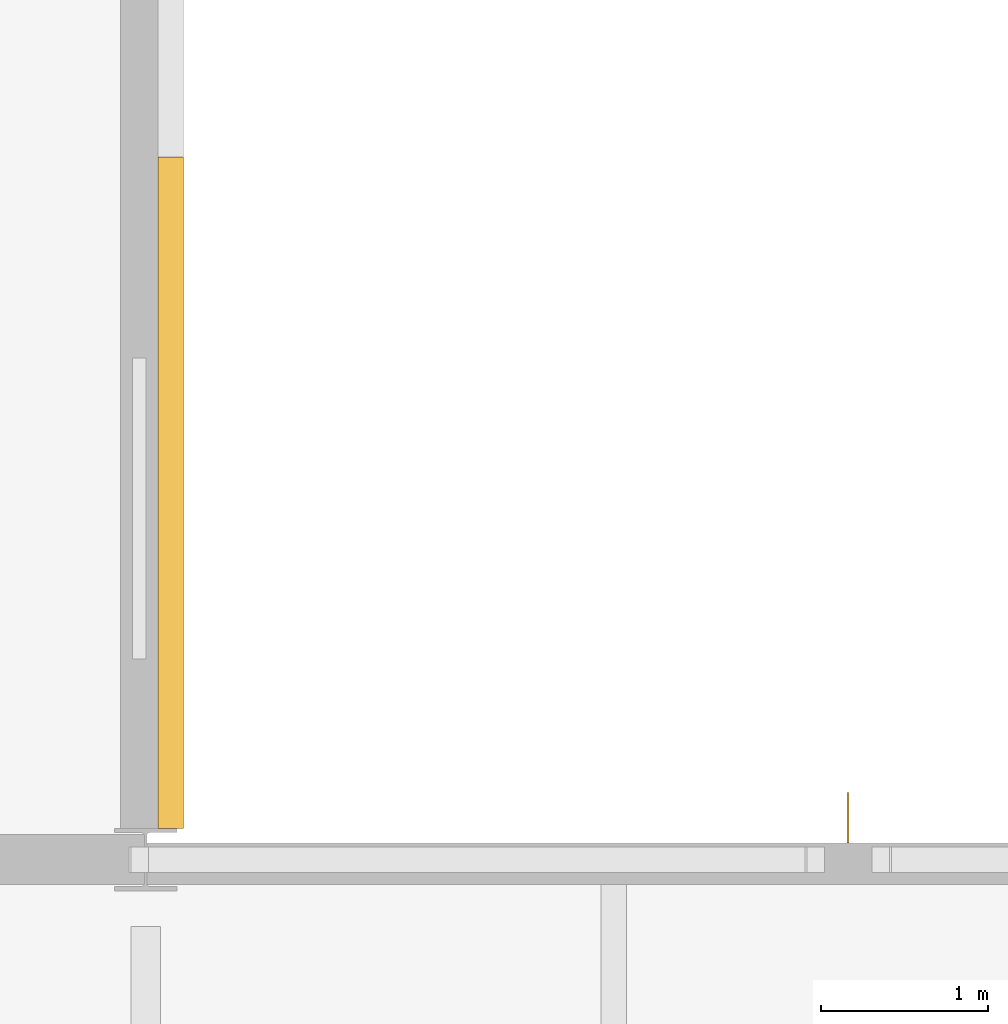
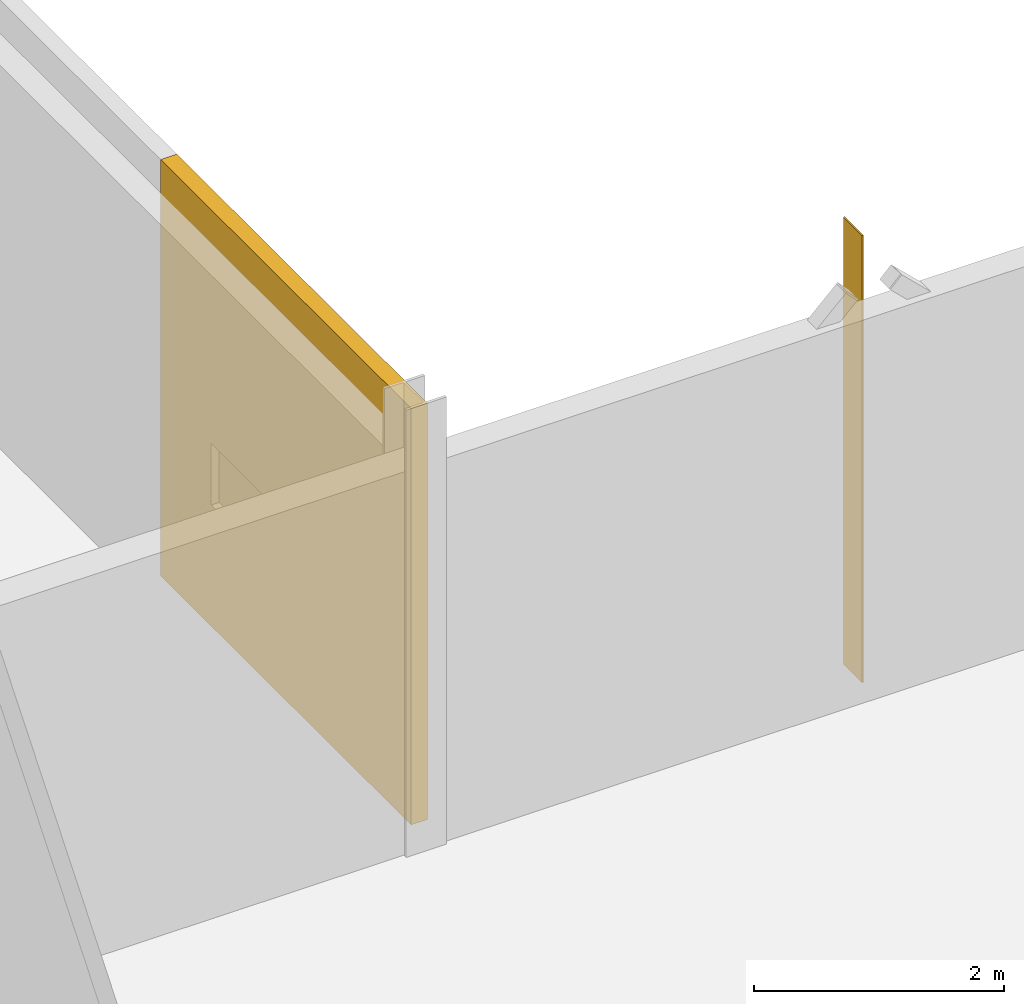
# One storey, part 77 of 89: 2 shading devices.
"""IFC4 building model written with IfcOpenShell, lengths in metres."""

from ifc_helpers import new_model, si_unit, direction, frame, origin, origin_2d, place, context, subcontext, project, spatial, rectangle, extrude, material, layer, layer_set, type_object, element, save


model = new_model("IFC4")

# Units and contexts
model_context = context("Model", 3, precision=1e-05, world=origin(), true_north=direction((0.0, 1.0)))
body_context = subcontext(model_context, "Body", "Model", "MODEL_VIEW")
ifc_project = project(units=[si_unit("LENGTHUNIT", "METRE"), si_unit("AREAUNIT", "SQUARE_METRE"), si_unit("VOLUMEUNIT", "CUBIC_METRE"), si_unit("PLANEANGLEUNIT", "RADIAN"), si_unit("MASSUNIT", "GRAM", prefix="KILO")], contexts=[model_context])

# Site, building, storey
site_placement = place(None, origin())
site = spatial("IfcSite", under=ifc_project, at=site_placement, CompositionType="ELEMENT")
building_placement = place(site_placement, origin())
building = spatial("IfcBuilding", under=site, at=building_placement, Name="Hlaing Beacon Police Headquarters", CompositionType="ELEMENT")
storey_placement = place(building_placement, frame((0.0, 0.0, 9.89990234375)))
storey = spatial("IfcBuildingStorey", under=building, at=storey_placement, Name="L02", CompositionType="ELEMENT", Elevation=9.89990234375)

# Shading devices
ifc_material_1 = material(Name="Aluminium 6063-T5 anodised", Category="aluminium")
ifc_layer_1 = layer(ifc_material_1, 0.011962890625)
ifc_layer_set_1 = layer_set([ifc_layer_1], Name="Aluminium 6063-T5 anodised")
shading_device_type_1 = type_object("IfcShadingDeviceType", Name="Aluminium fin 12x300", PredefinedType="JALOUSIE", material=ifc_layer_set_1)
shading_device_1_placement = place(storey_placement, frame((37.800048828125, 33.85009765625, 0.0), z_axis=(0.0, 0.0, 1.0), x_axis=(-1.0, 0.0, 0.0)))
element("IfcShadingDevice", 1, at=shading_device_1_placement, inside=storey, type_object=shading_device_type_1, Name="Fin L02 N007", PredefinedType="JALOUSIE", context=body_context, shape_type="SweptSolid", body=[
    extrude(rectangle(XDim=0.011962890625, YDim=0.300048828125, at=origin_2d()), origin(), (0.0, 0.0, 1.0), 4.3701171875),
])
ifc_material_2 = material(Name="Perforated aluminium", Category="aluminium")
ifc_layer_2 = layer(ifc_material_2, 0.14990234375)
ifc_layer_set_2 = layer_set([ifc_layer_2], Name="Perforated aluminium")
shading_device_type_2 = type_object("IfcShadingDeviceType", Name="Perforated screen panel 150", PredefinedType="JALOUSIE", material=ifc_layer_set_2)
shading_device_2_placement = place(storey_placement, frame((33.75, 35.793212890625, 0.0), z_axis=(0.0, 0.0, 1.0), x_axis=(0.0, 1.0, 0.0)))
element("IfcShadingDevice", 2, at=shading_device_2_placement, inside=storey, type_object=shading_device_type_2, Name="Screen L02 E001", PredefinedType="JALOUSIE", context=body_context, shape_type="SweptSolid", body=[
    extrude(rectangle(XDim=4.01318359375, YDim=0.14990234375, at=origin_2d()), origin(), (0.0, 0.0, 1.0), 4.070068359375),
])

save(model, "model.ifc")
